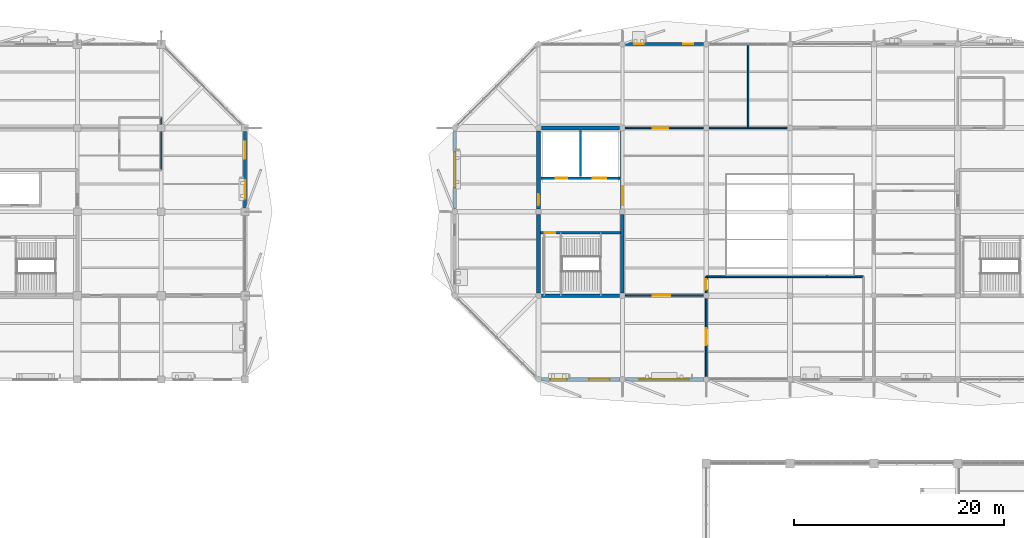
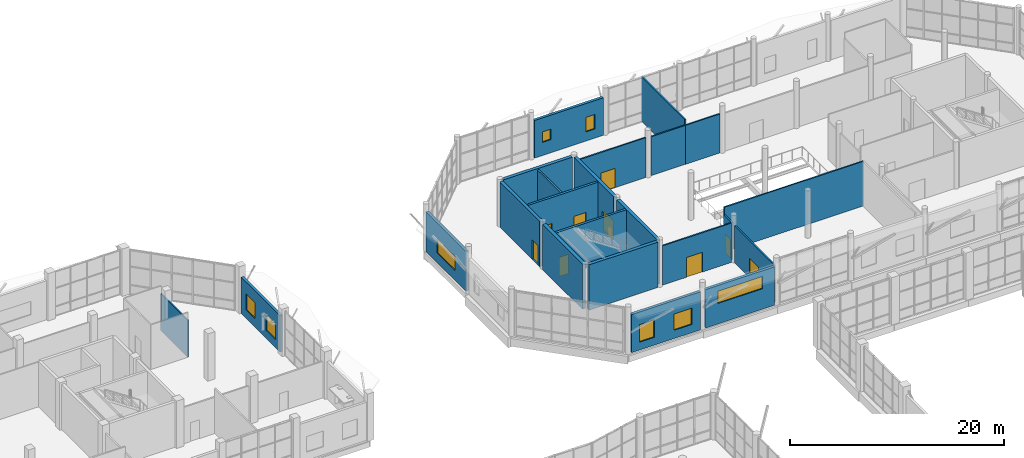
# One storey, part 109 of 122: 23 walls, 9 doors, 8 windows, 17 openings.
"""IFC4 building model written with IfcOpenShell, lengths in metres."""

from ifc_helpers import new_model, si_unit, direction, frame, frame_2d, origin, place, context, subcontext, project, spatial, rectangle, extrude, material, layer, layer_set, type_object, element, fill, save


model = new_model("IFC4")

# Units and contexts
model_context = context("Model", 3, precision=1e-05, world=origin(), true_north=direction((0.0, 1.0)))
body_context = subcontext(model_context, "Body", "Model", "MODEL_VIEW")
ifc_project = project(units=[si_unit("LENGTHUNIT", "METRE"), si_unit("AREAUNIT", "SQUARE_METRE"), si_unit("VOLUMEUNIT", "CUBIC_METRE"), si_unit("PLANEANGLEUNIT", "RADIAN"), si_unit("MASSUNIT", "GRAM", prefix="KILO")], contexts=[model_context])

# Site, building, storey
site_placement = place(None, origin())
site = spatial("IfcSite", under=ifc_project, at=site_placement, CompositionType="ELEMENT")
building_placement = place(site_placement, origin())
building = spatial("IfcBuilding", under=site, at=building_placement, Name="Tenunan Teduh Sports Hall", CompositionType="ELEMENT")
storey_placement = place(building_placement, frame((0.0, 0.0, 5.39990234375)))
storey = spatial("IfcBuildingStorey", under=building, at=storey_placement, Name="L01", CompositionType="ELEMENT", Elevation=5.39990234375)

# Wall, opening, door
ifc_material_1 = material(Name="Concrete C40/50", Category="concrete")
ifc_layer_1 = layer(ifc_material_1, 0.25)
ifc_layer_set_1 = layer_set([ifc_layer_1], Name="Concrete C40/50")
wall_type_1 = type_object("IfcWallType", Name="WL-COR-250", PredefinedType="SOLIDWALL", material=ifc_layer_set_1)
wall_1_placement = place(storey_placement, frame((106.175048828125, 100.0, 0.0), z_axis=(0.0, 0.0, 1.0), x_axis=(1.0, 0.0, 0.0)))
wall_1 = element("IfcWall", 1, at=wall_1_placement, inside=storey, type_object=wall_type_1, Name="WL-COR-L01-178", PredefinedType="SOLIDWALL", context=body_context, shape_type="SweptSolid", body=[
    extrude(rectangle(XDim=7.64990234375, YDim=0.25, at=frame_2d((3.824951171875, 0.0))), origin(), (0.0, 0.0, 1.0), 5.18017578125),
])
opening_1_placement = place(wall_1_placement, frame((0.425048828125, 0.0, 0.0)))
opening_1 = element("IfcOpeningElement", 2, at=opening_1_placement, cuts=wall_1, Name="Opening FD-01", PredefinedType="OPENING", context=body_context, shape_type="SweptSolid", body=[
    extrude(rectangle(XDim=1.0, YDim=2.199951171875, at=frame_2d((0.5, 1.10009765625))), frame((0.0, 0.135009765625, 0.0), z_axis=(0.0, -1.0, 0.0), x_axis=(1.0, 0.0, 0.0)), (0.0, 0.0, 1.0), 0.27001953125),
])
ifc_material_2 = material(Name="Fire-rated steel leaf and frame", Category="steel")
door_type_1 = type_object("IfcDoorType", Name="FDR-01", OperationType="SINGLE_SWING_LEFT", PredefinedType="DOOR", material=ifc_material_2)
door_1_placement = place(opening_1_placement, frame((1.0, 0.0, 0.0), z_axis=(0.0, 0.0, 1.0), x_axis=(-1.0, 0.0, 0.0)))
door_1 = element("IfcDoor", 3, at=door_1_placement, inside=storey, type_object=door_type_1, Name="DR-INT-L01-070", OperationType="SINGLE_SWING_LEFT", OverallHeight=2.199951171875, OverallWidth=1.0, PredefinedType="DOOR", context=body_context, shape_type="SweptSolid", body=[
    extrude(rectangle(XDim=1.0, YDim=2.199951171875, at=frame_2d((0.5, 1.10009765625))), frame((0.0, 0.02490234375, 0.0), z_axis=(0.0, -1.0, 0.0), x_axis=(1.0, 0.0, 0.0)), (0.0, 0.0, 1.0), 0.050048828125),
])
fill(opening_1, door_1)

# Wall, openings, doors
wall_2_placement = place(storey_placement, frame((106.25, 105.199951171875, 0.0), z_axis=(0.0, 0.0, 1.0), x_axis=(1.0, 0.0, 0.0)))
wall_2 = element("IfcWall", 4, at=wall_2_placement, inside=storey, type_object=wall_type_1, Name="WL-COR-L01-179", PredefinedType="SOLIDWALL", context=body_context, shape_type="SweptSolid", body=[
    extrude(rectangle(XDim=7.5, YDim=0.25, at=frame_2d((3.75, 0.0))), origin(), (0.0, 0.0, 1.0), 5.18017578125),
])
opening_2_placement = place(wall_2_placement, frame((1.39990234375, 0.0, 0.0)))
opening_2 = element("IfcOpeningElement", 5, at=opening_2_placement, cuts=wall_2, Name="Opening LD-1", PredefinedType="OPENING", context=body_context, shape_type="SweptSolid", body=[
    extrude(rectangle(XDim=1.10009765625, YDim=2.199951171875, at=frame_2d((0.550048828125, 1.10009765625))), frame((0.0, 0.135009765625, 0.0), z_axis=(0.0, -1.0, 0.0), x_axis=(1.0, 0.0, 0.0)), (0.0, 0.0, 1.0), 0.27001953125),
])
opening_3_placement = place(wall_2_placement, frame((4.89990234375, 0.0, 0.0)))
opening_3 = element("IfcOpeningElement", 6, at=opening_3_placement, cuts=wall_2, Name="Opening LD-2", PredefinedType="OPENING", context=body_context, shape_type="SweptSolid", body=[
    extrude(rectangle(XDim=1.300048828125, YDim=2.199951171875, at=frame_2d((0.64990234375, 1.10009765625))), frame((0.0, 0.135009765625, 0.0), z_axis=(0.0, -1.0, 0.0), x_axis=(1.0, 0.0, 0.0)), (0.0, 0.0, 1.0), 0.27001953125),
])
ifc_material_3 = material(Name="Brushed stainless steel landing doors", Category="steel")
door_type_2 = type_object("IfcDoorType", Name="LDR-01", OperationType="DOUBLE_DOOR_SLIDING", PredefinedType="DOOR", material=ifc_material_3)
door_2_placement = place(opening_2_placement, origin())
door_2 = element("IfcDoor", 7, at=door_2_placement, inside=storey, type_object=door_type_2, Name="Lift Landing Door LD-28", OperationType="DOUBLE_DOOR_SLIDING", OverallHeight=2.199951171875, OverallWidth=1.10009765625, PredefinedType="DOOR", context=body_context, shape_type="SweptSolid", body=[
    extrude(rectangle(XDim=1.10009765625, YDim=2.199951171875, at=frame_2d((0.550048828125, 1.10009765625))), frame((0.0, 0.02490234375, 0.0), z_axis=(0.0, -1.0, 0.0), x_axis=(1.0, 0.0, 0.0)), (0.0, 0.0, 1.0), 0.050048828125),
])
fill(opening_2, door_2)
ifc_material_4 = material(Name="Fire-fighting lift stainless landing doors")
door_type_3 = type_object("IfcDoorType", Name="LDR-02", OperationType="DOUBLE_DOOR_SLIDING", PredefinedType="DOOR", material=ifc_material_4)
door_3_placement = place(opening_3_placement, origin())
door_3 = element("IfcDoor", 8, at=door_3_placement, inside=storey, type_object=door_type_3, Name="Lift Landing Door LD-29", OperationType="DOUBLE_DOOR_SLIDING", OverallHeight=2.199951171875, OverallWidth=1.300048828125, PredefinedType="DOOR", context=body_context, shape_type="SweptSolid", body=[
    extrude(rectangle(XDim=1.300048828125, YDim=2.199951171875, at=frame_2d((0.64990234375, 1.10009765625))), frame((0.0, 0.02490234375, 0.0), z_axis=(0.0, -1.0, 0.0), x_axis=(1.0, 0.0, 0.0)), (0.0, 0.0, 1.0), 0.050048828125),
])
fill(opening_3, door_3)

# Wall, opening, window
ifc_material_5 = material(Name="Concrete C40/50", Category="concrete")
ifc_layer_2 = layer(ifc_material_5, 0.280029296875)
ifc_layer_set_2 = layer_set([ifc_layer_2], Name="Concrete C40/50")
wall_type_2 = type_object("IfcWallType", Name="WL-EXT-280", PredefinedType="SOLIDWALL", material=ifc_layer_set_2)
wall_3_placement = place(storey_placement, frame((114.27490234375, 86.0, 0.0), z_axis=(0.0, 0.0, 1.0), x_axis=(1.0, 0.0, 0.0)))
wall_3 = element("IfcWall", 9, at=wall_3_placement, inside=storey, type_object=wall_type_2, Name="WL-EXT-L01-229", PredefinedType="SOLIDWALL", context=body_context, shape_type="SweptSolid", body=[
    extrude(rectangle(XDim=7.4501953125, YDim=0.280029296875, at=frame_2d((3.72509765625, 0.0))), origin(), (0.0, 0.0, 1.0), 4.39013671875),
])
opening_4_placement = place(wall_3_placement, frame((1.320068359375, 0.0, 2.35009765625)))
opening_4 = element("IfcOpeningElement", 10, at=opening_4_placement, cuts=wall_3, Name="Opening W-12", PredefinedType="OPENING", context=body_context, shape_type="SweptSolid", body=[
    extrude(rectangle(XDim=4.800048828125, YDim=1.39990234375, at=frame_2d((2.39990234375, 0.699951171875))), frame((0.0, 0.14990234375, 0.0), z_axis=(0.0, -1.0, 0.0), x_axis=(1.0, 0.0, 0.0)), (0.0, 0.0, 1.0), 0.300048828125),
])
ifc_material_6 = material(Name="Thermally broken aluminium and Low-E glazing", Category="aluminium")
window_type_1 = type_object("IfcWindowType", Name="WIN-12", PartitioningType="TRIPLE_PANEL_HORIZONTAL", PredefinedType="WINDOW", material=ifc_material_6)
window_1_placement = place(opening_4_placement, origin())
window_1 = element("IfcWindow", 11, at=window_1_placement, inside=storey, type_object=window_type_1, Name="WIN-L01-135", OverallHeight=1.39990234375, OverallWidth=4.800048828125, PartitioningType="SINGLE_PANEL", PredefinedType="WINDOW", context=body_context, shape_type="SweptSolid", body=[
    extrude(rectangle(XDim=4.800048828125, YDim=1.39990234375, at=frame_2d((2.39990234375, 0.699951171875))), frame((0.0, 0.030029296875, 0.0), z_axis=(0.0, -1.0, 0.0), x_axis=(1.0, 0.0, 0.0)), (0.0, 0.0, 1.0), 0.06005859375),
])
fill(opening_4, window_1)

wall_4_placement = place(storey_placement, frame((98.0, 102.27490234375, 0.0), z_axis=(0.0, 0.0, 1.0), x_axis=(0.0, 1.0, 0.0)))
wall_4 = element("IfcWall", 12, at=wall_4_placement, inside=storey, type_object=wall_type_2, Name="WL-EXT-L01-237", PredefinedType="SOLIDWALL", context=body_context, shape_type="SweptSolid", body=[
    extrude(rectangle(XDim=7.4501953125, YDim=0.280029296875, at=frame_2d((3.72509765625, 0.0))), origin(), (0.0, 0.0, 1.0), 4.5400390625),
])
opening_5_placement = place(wall_4_placement, frame((2.02001953125, 0.0, 1.10009765625)))
opening_5 = element("IfcOpeningElement", 13, at=opening_5_placement, cuts=wall_4, Name="Opening W-15", PredefinedType="OPENING", context=body_context, shape_type="SweptSolid", body=[
    extrude(rectangle(XDim=3.39990234375, YDim=1.60009765625, at=frame_2d((1.699951171875, 0.800048828125))), frame((0.0, 0.14990234375, 0.0), z_axis=(0.0, -1.0, 0.0), x_axis=(1.0, 0.0, 0.0)), (0.0, 0.0, 1.0), 0.300048828125),
])
ifc_material_7 = material(Name="Thermally broken aluminium and Low-E glazing", Category="aluminium")
window_type_2 = type_object("IfcWindowType", Name="WIN-15", PartitioningType="TRIPLE_PANEL_VERTICAL", PredefinedType="WINDOW", material=ifc_material_7)
window_2_placement = place(opening_5_placement, origin())
window_2 = element("IfcWindow", 14, at=window_2_placement, inside=storey, type_object=window_type_2, Name="WIN-L01-148", OverallHeight=1.60009765625, OverallWidth=3.39990234375, PartitioningType="SINGLE_PANEL", PredefinedType="WINDOW", context=body_context, shape_type="SweptSolid", body=[
    extrude(rectangle(XDim=3.39990234375, YDim=1.60009765625, at=frame_2d((1.699951171875, 0.800048828125))), frame((0.0, 0.030029296875, 0.0), z_axis=(0.0, -1.0, 0.0), x_axis=(1.0, 0.0, 0.0)), (0.0, 0.0, 1.0), 0.06005859375),
])
fill(opening_5, window_2)

# Wall, openings, windows
ifc_material_8 = material(Name="Concrete C40/50", Category="concrete")
ifc_layer_3 = layer(ifc_material_8, 0.2900390625)
ifc_layer_set_3 = layer_set([ifc_layer_3], Name="Concrete C40/50")
wall_type_3 = type_object("IfcWallType", Name="WL-EXT-290", PredefinedType="SOLIDWALL", material=ifc_layer_set_3)
wall_5_placement = place(storey_placement, frame((78.0, 102.375, 0.0), z_axis=(0.0, 0.0, 1.0), x_axis=(0.0, 1.0, 0.0)))
wall_5 = element("IfcWall", 15, at=wall_5_placement, inside=storey, type_object=wall_type_3, Name="WL-EXT-L01-170", PredefinedType="SOLIDWALL", context=body_context, shape_type="SweptSolid", body=[
    extrude(rectangle(XDim=7.27490234375, YDim=0.2900390625, at=frame_2d((3.637451171875, 0.0))), origin(), (0.0, 0.0, 1.0), 4.14013671875),
])
opening_6_placement = place(wall_5_placement, frame((0.85009765625, 0.0, 0.89990234375)))
opening_6 = element("IfcOpeningElement", 16, at=opening_6_placement, cuts=wall_5, Name="Opening W-02", PredefinedType="OPENING", context=body_context, shape_type="SweptSolid", body=[
    extrude(rectangle(XDim=1.800048828125, YDim=1.800048828125, at=frame_2d((0.89990234375, 0.89990234375))), frame((0.0, 0.155029296875, 0.0), z_axis=(0.0, -1.0, 0.0), x_axis=(1.0, 0.0, 0.0)), (0.0, 0.0, 1.0), 0.31005859375),
])
opening_7_placement = place(wall_5_placement, frame((4.679931640625, 0.0, 0.949951171875)))
opening_7 = element("IfcOpeningElement", 17, at=opening_7_placement, cuts=wall_5, Name="Opening W-19", PredefinedType="OPENING", context=body_context, shape_type="SweptSolid", body=[
    extrude(rectangle(XDim=1.64990234375, YDim=1.85009765625, at=frame_2d((0.824951171875, 0.925048828125))), frame((0.0, 0.155029296875, 0.0), z_axis=(0.0, -1.0, 0.0), x_axis=(1.0, 0.0, 0.0)), (0.0, 0.0, 1.0), 0.31005859375),
])
ifc_material_9 = material(Name="Thermally broken aluminium and Low-E glazing", Category="aluminium")
window_type_3 = type_object("IfcWindowType", Name="WIN-02", PartitioningType="DOUBLE_PANEL_VERTICAL", PredefinedType="WINDOW", material=ifc_material_9)
window_3_placement = place(opening_6_placement, origin())
window_3 = element("IfcWindow", 18, at=window_3_placement, inside=storey, type_object=window_type_3, Name="WIN-L01-055", OverallHeight=1.800048828125, OverallWidth=1.800048828125, PartitioningType="SINGLE_PANEL", PredefinedType="WINDOW", context=body_context, shape_type="SweptSolid", body=[
    extrude(rectangle(XDim=1.800048828125, YDim=1.800048828125, at=frame_2d((0.89990234375, 0.89990234375))), frame((0.0, 0.030029296875, 0.0), z_axis=(0.0, -1.0, 0.0), x_axis=(1.0, 0.0, 0.0)), (0.0, 0.0, 1.0), 0.06005859375),
])
fill(opening_6, window_3)
ifc_material_10 = material(Name="Thermally broken aluminium and Low-E glazing", Category="aluminium")
window_type_4 = type_object("IfcWindowType", Name="WIN-19", PartitioningType="DOUBLE_PANEL_VERTICAL", PredefinedType="WINDOW", material=ifc_material_10)
window_4_placement = place(opening_7_placement, origin())
window_4 = element("IfcWindow", 19, at=window_4_placement, inside=storey, type_object=window_type_4, Name="WIN-L01-056", OverallHeight=1.85009765625, OverallWidth=1.64990234375, PartitioningType="SINGLE_PANEL", PredefinedType="WINDOW", context=body_context, shape_type="SweptSolid", body=[
    extrude(rectangle(XDim=1.64990234375, YDim=1.85009765625, at=frame_2d((0.824951171875, 0.925048828125))), frame((0.0, 0.030029296875, 0.0), z_axis=(0.0, -1.0, 0.0), x_axis=(1.0, 0.0, 0.0)), (0.0, 0.0, 1.0), 0.06005859375),
])
fill(opening_7, window_4)

wall_6_placement = place(storey_placement, frame((106.27490234375, 86.0, 0.0), z_axis=(0.0, 0.0, 1.0), x_axis=(1.0, 0.0, 0.0)))
wall_6 = element("IfcWall", 20, at=wall_6_placement, inside=storey, type_object=wall_type_3, Name="WL-EXT-L01-228", PredefinedType="SOLIDWALL", context=body_context, shape_type="SweptSolid", body=[
    extrude(rectangle(XDim=7.4501953125, YDim=0.2900390625, at=frame_2d((3.72509765625, 0.0))), origin(), (0.0, 0.0, 1.0), 4.340087890625),
])
opening_8_placement = place(wall_6_placement, frame((0.85009765625, 0.0, 0.89990234375)))
opening_8 = element("IfcOpeningElement", 21, at=opening_8_placement, cuts=wall_6, Name="Opening W-14", PredefinedType="OPENING", context=body_context, shape_type="SweptSolid", body=[
    extrude(rectangle(XDim=1.60009765625, YDim=2.0, at=frame_2d((0.800048828125, 1.0))), frame((0.0, 0.155029296875, 0.0), z_axis=(0.0, -1.0, 0.0), x_axis=(1.0, 0.0, 0.0)), (0.0, 0.0, 1.0), 0.31005859375),
])
opening_9_placement = place(wall_6_placement, frame((4.550048828125, 0.0, 0.949951171875)))
opening_9 = element("IfcOpeningElement", 22, at=opening_9_placement, cuts=wall_6, Name="Opening W-20", PredefinedType="OPENING", context=body_context, shape_type="SweptSolid", body=[
    extrude(rectangle(XDim=1.949951171875, YDim=1.85009765625, at=frame_2d((0.97509765625, 0.925048828125))), frame((0.0, 0.155029296875, 0.0), z_axis=(0.0, -1.0, 0.0), x_axis=(1.0, 0.0, 0.0)), (0.0, 0.0, 1.0), 0.31005859375),
])
ifc_material_11 = material(Name="Thermally broken aluminium and Low-E glazing", Category="aluminium")
window_type_5 = type_object("IfcWindowType", Name="WIN-14", PartitioningType="DOUBLE_PANEL_VERTICAL", PredefinedType="WINDOW", material=ifc_material_11)
window_5_placement = place(opening_8_placement, origin())
window_5 = element("IfcWindow", 23, at=window_5_placement, inside=storey, type_object=window_type_5, Name="WIN-L01-133", OverallHeight=2.0, OverallWidth=1.60009765625, PartitioningType="SINGLE_PANEL", PredefinedType="WINDOW", context=body_context, shape_type="SweptSolid", body=[
    extrude(rectangle(XDim=1.60009765625, YDim=2.0, at=frame_2d((0.800048828125, 1.0))), frame((0.0, 0.030029296875, 0.0), z_axis=(0.0, -1.0, 0.0), x_axis=(1.0, 0.0, 0.0)), (0.0, 0.0, 1.0), 0.06005859375),
])
fill(opening_8, window_5)
ifc_material_12 = material(Name="Thermally broken aluminium and Low-E glazing", Category="aluminium")
window_type_6 = type_object("IfcWindowType", Name="WIN-20", PartitioningType="DOUBLE_PANEL_VERTICAL", PredefinedType="WINDOW", material=ifc_material_12)
window_6_placement = place(opening_9_placement, origin())
window_6 = element("IfcWindow", 24, at=window_6_placement, inside=storey, type_object=window_type_6, Name="WIN-L01-134", OverallHeight=1.85009765625, OverallWidth=1.949951171875, PartitioningType="SINGLE_PANEL", PredefinedType="WINDOW", context=body_context, shape_type="SweptSolid", body=[
    extrude(rectangle(XDim=1.949951171875, YDim=1.85009765625, at=frame_2d((0.97509765625, 0.925048828125))), frame((0.0, 0.030029296875, 0.0), z_axis=(0.0, -1.0, 0.0), x_axis=(1.0, 0.0, 0.0)), (0.0, 0.0, 1.0), 0.06005859375),
])
fill(opening_9, window_6)

wall_7_placement = place(storey_placement, frame((114.27490234375, 118.0, 0.0), z_axis=(0.0, 0.0, 1.0), x_axis=(1.0, 0.0, 0.0)))
wall_7 = element("IfcWall", 25, at=wall_7_placement, inside=storey, type_object=wall_type_3, Name="WL-EXT-L01-233", PredefinedType="SOLIDWALL", context=body_context, shape_type="SweptSolid", body=[
    extrude(rectangle(XDim=7.4501953125, YDim=0.2900390625, at=frame_2d((3.72509765625, 0.0))), origin(), (0.0, 0.0, 1.0), 4.2900390625),
])
opening_10_placement = place(wall_7_placement, frame((0.85009765625, 0.0, 1.5)))
opening_10 = element("IfcOpeningElement", 26, at=opening_10_placement, cuts=wall_7, Name="Opening W-08", PredefinedType="OPENING", context=body_context, shape_type="SweptSolid", body=[
    extrude(rectangle(XDim=0.89990234375, YDim=1.199951171875, at=frame_2d((0.449951171875, 0.60009765625))), frame((0.0, 0.155029296875, 0.0), z_axis=(0.0, -1.0, 0.0), x_axis=(1.0, 0.0, 0.0)), (0.0, 0.0, 1.0), 0.31005859375),
])
opening_11_placement = place(wall_7_placement, frame((5.550048828125, 0.0, 1.050048828125)))
opening_11 = element("IfcOpeningElement", 27, at=opening_11_placement, cuts=wall_7, Name="Opening W-17", PredefinedType="OPENING", context=body_context, shape_type="SweptSolid", body=[
    extrude(rectangle(XDim=0.949951171875, YDim=1.64990234375, at=frame_2d((0.47509765625, 0.824951171875))), frame((0.0, 0.155029296875, 0.0), z_axis=(0.0, -1.0, 0.0), x_axis=(1.0, 0.0, 0.0)), (0.0, 0.0, 1.0), 0.31005859375),
])
ifc_material_13 = material(Name="Thermally broken aluminium and Low-E glazing", Category="aluminium")
window_type_7 = type_object("IfcWindowType", Name="WIN-08", PartitioningType="SINGLE_PANEL", PredefinedType="WINDOW", material=ifc_material_13)
window_7_placement = place(opening_10_placement, origin())
window_7 = element("IfcWindow", 28, at=window_7_placement, inside=storey, type_object=window_type_7, Name="WIN-L01-141", OverallHeight=1.199951171875, OverallWidth=0.89990234375, PartitioningType="SINGLE_PANEL", PredefinedType="WINDOW", context=body_context, shape_type="SweptSolid", body=[
    extrude(rectangle(XDim=0.89990234375, YDim=1.199951171875, at=frame_2d((0.449951171875, 0.60009765625))), frame((0.0, 0.030029296875, 0.0), z_axis=(0.0, -1.0, 0.0), x_axis=(1.0, 0.0, 0.0)), (0.0, 0.0, 1.0), 0.06005859375),
])
fill(opening_10, window_7)
ifc_material_14 = material(Name="Thermally broken aluminium and Low-E glazing", Category="aluminium")
window_type_8 = type_object("IfcWindowType", Name="WIN-17", PartitioningType="SINGLE_PANEL", PredefinedType="WINDOW", material=ifc_material_14)
window_8_placement = place(opening_11_placement, origin())
window_8 = element("IfcWindow", 29, at=window_8_placement, inside=storey, type_object=window_type_8, Name="WIN-L01-142", OverallHeight=1.64990234375, OverallWidth=0.949951171875, PartitioningType="SINGLE_PANEL", PredefinedType="WINDOW", context=body_context, shape_type="SweptSolid", body=[
    extrude(rectangle(XDim=0.949951171875, YDim=1.64990234375, at=frame_2d((0.47509765625, 0.824951171875))), frame((0.0, 0.030029296875, 0.0), z_axis=(0.0, -1.0, 0.0), x_axis=(1.0, 0.0, 0.0)), (0.0, 0.0, 1.0), 0.06005859375),
])
fill(opening_11, window_8)

# Wall
ifc_material_15 = material(Name="Moisture-resistant masonry", Category="masonry")
ifc_layer_4 = layer(ifc_material_15, 0.125)
ifc_layer_set_4 = layer_set([ifc_layer_4], Name="Moisture-resistant masonry")
wall_type_4 = type_object("IfcWallType", Name="WL-PRT-125", PredefinedType="PARTITIONING", material=ifc_layer_set_4)
wall_8_placement = place(storey_placement, frame((70.0, 106.0, 0.0), z_axis=(0.0, 0.0, 1.0), x_axis=(0.0, 1.0, 0.0)))
element("IfcWall", 30, at=wall_8_placement, inside=storey, type_object=wall_type_4, Name="WL-PRT-L01-384", PredefinedType="PARTITIONING", context=body_context, shape_type="SweptSolid", body=[
    extrude(rectangle(XDim=5.0, YDim=0.125, at=frame_2d((2.5, 0.0))), origin(), (0.0, 0.0, 1.0), 4.239990234375),
])

# Wall, opening, door
ifc_material_16 = material(Name="Acoustic stud and double plasterboard")
ifc_layer_5 = layer(ifc_material_16, 0.14990234375)
ifc_layer_set_5 = layer_set([ifc_layer_5], Name="Acoustic stud and double plasterboard")
wall_type_5 = type_object("IfcWallType", Name="WL-PRT-150", PredefinedType="PARTITIONING", material=ifc_layer_set_5)
wall_9_placement = place(storey_placement, frame((114.27490234375, 94.0, 0.0), z_axis=(0.0, 0.0, 1.0), x_axis=(1.0, 0.0, 0.0)))
wall_9 = element("IfcWall", 31, at=wall_9_placement, inside=storey, type_object=wall_type_5, Name="WL-PRT-L01-392", PredefinedType="PARTITIONING", context=body_context, shape_type="SweptSolid", body=[
    extrude(rectangle(XDim=7.4501953125, YDim=0.14990234375, at=frame_2d((3.72509765625, 0.0))), origin(), (0.0, 0.0, 1.0), 4.489990234375),
])
opening_12_placement = place(wall_9_placement, frame((2.610107421875, 0.0, 0.0)))
opening_12 = element("IfcOpeningElement", 32, at=opening_12_placement, cuts=wall_9, Name="Opening ID-05", PredefinedType="OPENING", context=body_context, shape_type="SweptSolid", body=[
    extrude(rectangle(XDim=1.699951171875, YDim=2.25, at=frame_2d((0.85009765625, 1.125))), frame((0.0, 0.0849609375, 0.0), z_axis=(0.0, -1.0, 0.0), x_axis=(1.0, 0.0, 0.0)), (0.0, 0.0, 1.0), 0.169921875),
])
ifc_material_17 = material(Name="Glazed concourse pair")
door_type_4 = type_object("IfcDoorType", Name="IDR-05", OperationType="DOUBLE_DOOR_SINGLE_SWING", PredefinedType="DOOR", material=ifc_material_17)
door_4_placement = place(opening_12_placement, origin())
door_4 = element("IfcDoor", 33, at=door_4_placement, inside=storey, type_object=door_type_4, Name="DR-INT-L01-149", OperationType="DOUBLE_DOOR_SINGLE_SWING", OverallHeight=2.25, OverallWidth=1.699951171875, PredefinedType="DOOR", context=body_context, shape_type="SweptSolid", body=[
    extrude(rectangle(XDim=1.699951171875, YDim=2.25, at=frame_2d((0.85009765625, 1.125))), frame((0.0, 0.02490234375, 0.0), z_axis=(0.0, -1.0, 0.0), x_axis=(1.0, 0.0, 0.0)), (0.0, 0.0, 1.0), 0.050048828125),
])
fill(opening_12, door_4)

wall_10_placement = place(storey_placement, frame((122.0, 86.27490234375, 0.0), z_axis=(0.0, 0.0, 1.0), x_axis=(0.0, 1.0, 0.0)))
wall_10 = element("IfcWall", 34, at=wall_10_placement, inside=storey, type_object=wall_type_5, Name="WL-PRT-L01-393", PredefinedType="PARTITIONING", context=body_context, shape_type="SweptSolid", body=[
    extrude(rectangle(XDim=7.4501953125, YDim=0.14990234375, at=frame_2d((3.72509765625, 0.0))), origin(), (0.0, 0.0, 1.0), 4.239990234375),
])
opening_13_placement = place(wall_10_placement, frame((2.97998046875, 0.0, 0.0)))
opening_13 = element("IfcOpeningElement", 35, at=opening_13_placement, cuts=wall_10, Name="Opening ID-11", PredefinedType="OPENING", context=body_context, shape_type="SweptSolid", body=[
    extrude(rectangle(XDim=1.64990234375, YDim=2.25, at=frame_2d((0.824951171875, 1.125))), frame((0.0, 0.0849609375, 0.0), z_axis=(0.0, -1.0, 0.0), x_axis=(1.0, 0.0, 0.0)), (0.0, 0.0, 1.0), 0.169921875),
])
ifc_material_18 = material(Name="Studio double leaf")
door_type_5 = type_object("IfcDoorType", Name="IDR-11", OperationType="DOUBLE_DOOR_SINGLE_SWING", PredefinedType="DOOR", material=ifc_material_18)
door_5_placement = place(opening_13_placement, frame((1.64990234375, 0.0, 0.0), z_axis=(0.0, 0.0, 1.0), x_axis=(-1.0, 0.0, 0.0)))
door_5 = element("IfcDoor", 36, at=door_5_placement, inside=storey, type_object=door_type_5, Name="DR-INT-L01-150", OperationType="DOUBLE_DOOR_SINGLE_SWING", OverallHeight=2.25, OverallWidth=1.64990234375, PredefinedType="DOOR", context=body_context, shape_type="SweptSolid", body=[
    extrude(rectangle(XDim=1.64990234375, YDim=2.25, at=frame_2d((0.824951171875, 1.125))), frame((0.0, 0.02490234375, 0.0), z_axis=(0.0, -1.0, 0.0), x_axis=(1.0, 0.0, 0.0)), (0.0, 0.0, 1.0), 0.050048828125),
])
fill(opening_13, door_5)

wall_11_placement = place(storey_placement, frame((122.0, 94.27490234375, 0.0), z_axis=(0.0, 0.0, 1.0), x_axis=(0.0, 1.0, 0.0)))
wall_11 = element("IfcWall", 37, at=wall_11_placement, inside=storey, type_object=wall_type_5, Name="WL-PRT-L01-394", PredefinedType="PARTITIONING", context=body_context, shape_type="SweptSolid", body=[
    extrude(rectangle(XDim=1.525146484375, YDim=0.14990234375, at=frame_2d((0.7626953125, 0.0))), origin(), (0.0, 0.0, 1.0), 4.239990234375),
])
opening_14_placement = place(wall_11_placement, frame((0.27490234375, 0.0, 0.0)))
opening_14 = element("IfcOpeningElement", 38, at=opening_14_placement, cuts=wall_11, Name="Opening ID-03", PredefinedType="OPENING", context=body_context, shape_type="SweptSolid", body=[
    extrude(rectangle(XDim=1.0, YDim=2.14990234375, at=frame_2d((0.5, 1.074951171875))), frame((0.0, 0.0849609375, 0.0), z_axis=(0.0, -1.0, 0.0), x_axis=(1.0, 0.0, 0.0)), (0.0, 0.0, 1.0), 0.169921875),
])
ifc_material_19 = material(Name="Accessible wide HPL leaf")
door_type_6 = type_object("IfcDoorType", Name="IDR-03", OperationType="SINGLE_SWING_LEFT", PredefinedType="DOOR", material=ifc_material_19)
door_6_placement = place(opening_14_placement, frame((1.0, 0.0, 0.0), z_axis=(0.0, 0.0, 1.0), x_axis=(-1.0, 0.0, 0.0)))
door_6 = element("IfcDoor", 39, at=door_6_placement, inside=storey, type_object=door_type_6, Name="DR-INT-L01-151", OperationType="SINGLE_SWING_RIGHT", OverallHeight=2.14990234375, OverallWidth=1.0, PredefinedType="DOOR", context=body_context, shape_type="SweptSolid", body=[
    extrude(rectangle(XDim=1.0, YDim=2.14990234375, at=frame_2d((0.5, 1.074951171875))), frame((0.0, 0.02490234375, 0.0), z_axis=(0.0, -1.0, 0.0), x_axis=(1.0, 0.0, 0.0)), (0.0, 0.0, 1.0), 0.050048828125),
])
fill(opening_14, door_6)

# Wall
wall_12_placement = place(storey_placement, frame((122.0, 95.800048828125, 0.0), z_axis=(0.0, 0.0, 1.0), x_axis=(1.0, 0.0, 0.0)))
element("IfcWall", 40, at=wall_12_placement, inside=storey, type_object=wall_type_5, Name="WL-PRT-L01-395", PredefinedType="PARTITIONING", context=body_context, shape_type="SweptSolid", body=[
    extrude(rectangle(XDim=15.0, YDim=0.14990234375, at=frame_2d((7.5, 0.0))), origin(), (0.0, 0.0, 1.0), 5.10009765625),
])

# Wall, opening, door
wall_13_placement = place(storey_placement, frame((114.27490234375, 110.0, 0.0), z_axis=(0.0, 0.0, 1.0), x_axis=(1.0, 0.0, 0.0)))
wall_13 = element("IfcWall", 41, at=wall_13_placement, inside=storey, type_object=wall_type_5, Name="WL-PRT-L01-403", PredefinedType="PARTITIONING", context=body_context, shape_type="SweptSolid", body=[
    extrude(rectangle(XDim=7.4501953125, YDim=0.14990234375, at=frame_2d((3.72509765625, 0.0))), origin(), (0.0, 0.0, 1.0), 4.5400390625),
])
opening_15_placement = place(wall_13_placement, frame((2.610107421875, 0.0, 0.0)))
opening_15 = element("IfcOpeningElement", 42, at=opening_15_placement, cuts=wall_13, Name="Opening ID-04", PredefinedType="OPENING", context=body_context, shape_type="SweptSolid", body=[
    extrude(rectangle(XDim=1.5, YDim=2.199951171875, at=frame_2d((0.75, 1.10009765625))), frame((0.0, 0.0849609375, 0.0), z_axis=(0.0, -1.0, 0.0), x_axis=(1.0, 0.0, 0.0)), (0.0, 0.0, 1.0), 0.169921875),
])
ifc_material_20 = material(Name="Acoustic studio timber pair", Category="wood")
door_type_7 = type_object("IfcDoorType", Name="IDR-04", OperationType="DOUBLE_DOOR_SINGLE_SWING", PredefinedType="DOOR", material=ifc_material_20)
door_7_placement = place(opening_15_placement, frame((1.5, 0.0, 0.0), z_axis=(0.0, 0.0, 1.0), x_axis=(-1.0, 0.0, 0.0)))
door_7 = element("IfcDoor", 43, at=door_7_placement, inside=storey, type_object=door_type_7, Name="DR-INT-L01-155", OperationType="DOUBLE_DOOR_SINGLE_SWING", OverallHeight=2.199951171875, OverallWidth=1.5, PredefinedType="DOOR", context=body_context, shape_type="SweptSolid", body=[
    extrude(rectangle(XDim=1.5, YDim=2.199951171875, at=frame_2d((0.75, 1.10009765625))), frame((0.0, 0.02490234375, 0.0), z_axis=(0.0, -1.0, 0.0), x_axis=(1.0, 0.0, 0.0)), (0.0, 0.0, 1.0), 0.050048828125),
])
fill(opening_15, door_7)

# Walls
for number, where, z_axis, x_axis, name in (
    (44, (122.27490234375, 110.0, 0.0), (0.0, 0.0, 1.0), (1.0, 0.0, 0.0), "WL-PRT-L01-404"),
    (45, (126.0, 110.0, 0.0), (0.0, 0.0, 1.0), (1.0, 0.0, 0.0), "WL-PRT-L01-405"),
):
    element("IfcWall", number, at=place(storey_placement, frame(where, z_axis=z_axis, x_axis=x_axis)), inside=storey, type_object=wall_type_5, Name=name, PredefinedType="PARTITIONING", context=body_context, shape_type="SweptSolid", body=[
        extrude(rectangle(XDim=3.72509765625, YDim=0.14990234375, at=frame_2d((1.862548828125, 0.0))), origin(), (0.0, 0.0, 1.0), 4.440185546875),
    ])
wall_14_placement = place(storey_placement, frame((126.0, 110.0, 0.0), z_axis=(0.0, 0.0, 1.0), x_axis=(0.0, 1.0, 0.0)))
element("IfcWall", 46, at=wall_14_placement, inside=storey, type_object=wall_type_5, Name="WL-PRT-L01-409", PredefinedType="PARTITIONING", context=body_context, shape_type="SweptSolid", body=[
    extrude(rectangle(XDim=8.0, YDim=0.14990234375, at=frame_2d((4.0, 0.0))), origin(), (0.0, 0.0, 1.0), 5.10009765625),
])
ifc_material_21 = material(Name="Autoclaved aerated concrete blockwork", Category="masonry")
ifc_layer_6 = layer(ifc_material_21, 0.199951171875)
ifc_layer_set_6 = layer_set([ifc_layer_6], Name="Autoclaved aerated concrete blockwork")
wall_type_6 = type_object("IfcWallType", Name="WL-PRT-200", PredefinedType="PARTITIONING", material=ifc_layer_set_6)
wall_15_placement = place(storey_placement, frame((110.0, 105.35009765625, 0.0), z_axis=(0.0, 0.0, 1.0), x_axis=(0.0, 1.0, 0.0)))
element("IfcWall", 47, at=wall_15_placement, inside=storey, type_object=wall_type_6, Name="WL-PRT-L01-180", PredefinedType="PARTITIONING", context=body_context, shape_type="SweptSolid", body=[
    extrude(rectangle(XDim=4.39990234375, YDim=0.199951171875, at=frame_2d((2.199951171875, 0.0))), origin(), (0.0, 0.0, 1.0), 5.10009765625),
])
ifc_material_22 = material(Name="Concrete C40/50", Category="concrete")
ifc_layer_7 = layer(ifc_material_22, 0.35009765625)
ifc_layer_set_7 = layer_set([ifc_layer_7], Name="Concrete C40/50")
wall_type_7 = type_object("IfcWallType", Name="WL-SHR-350", PredefinedType="SHEAR", material=ifc_layer_set_7)
for number, where, z_axis, x_axis, name in (
    (48, (106.27490234375, 94.0, 0.0), (0.0, 0.0, 1.0), (1.0, 0.0, 0.0), "WL-COR-L01-172"),
    (49, (106.27490234375, 110.0, 0.0), (0.0, 0.0, 1.0), (1.0, 0.0, 0.0), "WL-COR-L01-173"),
    (50, (106.0, 94.27490234375, 0.0), (0.0, 0.0, 1.0), (0.0, 1.0, 0.0), "WL-COR-L01-174"),
):
    element("IfcWall", number, at=place(storey_placement, frame(where, z_axis=z_axis, x_axis=x_axis)), inside=storey, type_object=wall_type_7, Name=name, PredefinedType="SHEAR", context=body_context, shape_type="SweptSolid", body=[
        extrude(rectangle(XDim=7.4501953125, YDim=0.35009765625, at=frame_2d((3.72509765625, 0.0))), origin(), (0.0, 0.0, 1.0), 5.18017578125),
    ])

# Wall, opening, door
wall_16_placement = place(storey_placement, frame((106.0, 102.27490234375, 0.0), z_axis=(0.0, 0.0, 1.0), x_axis=(0.0, 1.0, 0.0)))
wall_16 = element("IfcWall", 51, at=wall_16_placement, inside=storey, type_object=wall_type_7, Name="WL-COR-L01-175", PredefinedType="SHEAR", context=body_context, shape_type="SweptSolid", body=[
    extrude(rectangle(XDim=7.4501953125, YDim=0.35009765625, at=frame_2d((3.72509765625, 0.0))), origin(), (0.0, 0.0, 1.0), 5.18017578125),
])
opening_16_placement = place(wall_16_placement, frame((0.35009765625, 0.0, 0.0)))
opening_16 = element("IfcOpeningElement", 52, at=opening_16_placement, cuts=wall_16, Name="Opening FD-02", PredefinedType="OPENING", context=body_context, shape_type="SweptSolid", body=[
    extrude(rectangle(XDim=1.050048828125, YDim=2.199951171875, at=frame_2d((0.52490234375, 1.10009765625))), frame((0.0, 0.18505859375, 0.0), z_axis=(0.0, -1.0, 0.0), x_axis=(1.0, 0.0, 0.0)), (0.0, 0.0, 1.0), 0.3701171875),
])
ifc_material_23 = material(Name="Fire-rated steel leaf and frame", Category="steel")
door_type_8 = type_object("IfcDoorType", Name="FDR-02", OperationType="SINGLE_SWING_RIGHT", PredefinedType="DOOR", material=ifc_material_23)
door_8_placement = place(opening_16_placement, origin())
door_8 = element("IfcDoor", 53, at=door_8_placement, inside=storey, type_object=door_type_8, Name="DR-INT-L01-069", OperationType="SINGLE_SWING_LEFT", OverallHeight=2.199951171875, OverallWidth=1.050048828125, PredefinedType="DOOR", context=body_context, shape_type="SweptSolid", body=[
    extrude(rectangle(XDim=1.050048828125, YDim=2.199951171875, at=frame_2d((0.52490234375, 1.10009765625))), frame((0.0, 0.02490234375, 0.0), z_axis=(0.0, -1.0, 0.0), x_axis=(1.0, 0.0, 0.0)), (0.0, 0.0, 1.0), 0.050048828125),
])
fill(opening_16, door_8)

# Wall
wall_17_placement = place(storey_placement, frame((114.0, 94.27490234375, 0.0), z_axis=(0.0, 0.0, 1.0), x_axis=(0.0, 1.0, 0.0)))
element("IfcWall", 54, at=wall_17_placement, inside=storey, type_object=wall_type_7, Name="WL-COR-L01-176", PredefinedType="SHEAR", context=body_context, shape_type="SweptSolid", body=[
    extrude(rectangle(XDim=7.4501953125, YDim=0.35009765625, at=frame_2d((3.72509765625, 0.0))), origin(), (0.0, 0.0, 1.0), 5.18017578125),
])

# Wall, opening, door
wall_18_placement = place(storey_placement, frame((114.0, 102.27490234375, 0.0), z_axis=(0.0, 0.0, 1.0), x_axis=(0.0, 1.0, 0.0)))
wall_18 = element("IfcWall", 55, at=wall_18_placement, inside=storey, type_object=wall_type_7, Name="WL-COR-L01-177", PredefinedType="SHEAR", context=body_context, shape_type="SweptSolid", body=[
    extrude(rectangle(XDim=7.4501953125, YDim=0.35009765625, at=frame_2d((3.72509765625, 0.0))), origin(), (0.0, 0.0, 1.0), 5.18017578125),
])
opening_17_placement = place(wall_18_placement, frame((0.35009765625, 0.0, 0.0)))
opening_17 = element("IfcOpeningElement", 56, at=opening_17_placement, cuts=wall_18, Name="Opening FD-03", PredefinedType="OPENING", context=body_context, shape_type="SweptSolid", body=[
    extrude(rectangle(XDim=1.800048828125, YDim=2.199951171875, at=frame_2d((0.89990234375, 1.10009765625))), frame((0.0, 0.18505859375, 0.0), z_axis=(0.0, -1.0, 0.0), x_axis=(1.0, 0.0, 0.0)), (0.0, 0.0, 1.0), 0.3701171875),
])
ifc_material_24 = material(Name="Fire-rated hardwood pair", Category="wood")
door_type_9 = type_object("IfcDoorType", Name="FDR-03", OperationType="DOUBLE_DOOR_SINGLE_SWING", PredefinedType="DOOR", material=ifc_material_24)
door_9_placement = place(opening_17_placement, frame((1.800048828125, 0.0, 0.0), z_axis=(0.0, 0.0, 1.0), x_axis=(-1.0, 0.0, 0.0)))
door_9 = element("IfcDoor", 57, at=door_9_placement, inside=storey, type_object=door_type_9, Name="DR-INT-L01-068", OperationType="DOUBLE_DOOR_SINGLE_SWING", OverallHeight=2.199951171875, OverallWidth=1.800048828125, PredefinedType="DOOR", context=body_context, shape_type="SweptSolid", body=[
    extrude(rectangle(XDim=1.800048828125, YDim=2.199951171875, at=frame_2d((0.89990234375, 1.10009765625))), frame((0.0, 0.02490234375, 0.0), z_axis=(0.0, -1.0, 0.0), x_axis=(1.0, 0.0, 0.0)), (0.0, 0.0, 1.0), 0.050048828125),
])
fill(opening_17, door_9)

save(model, "model.ifc")
